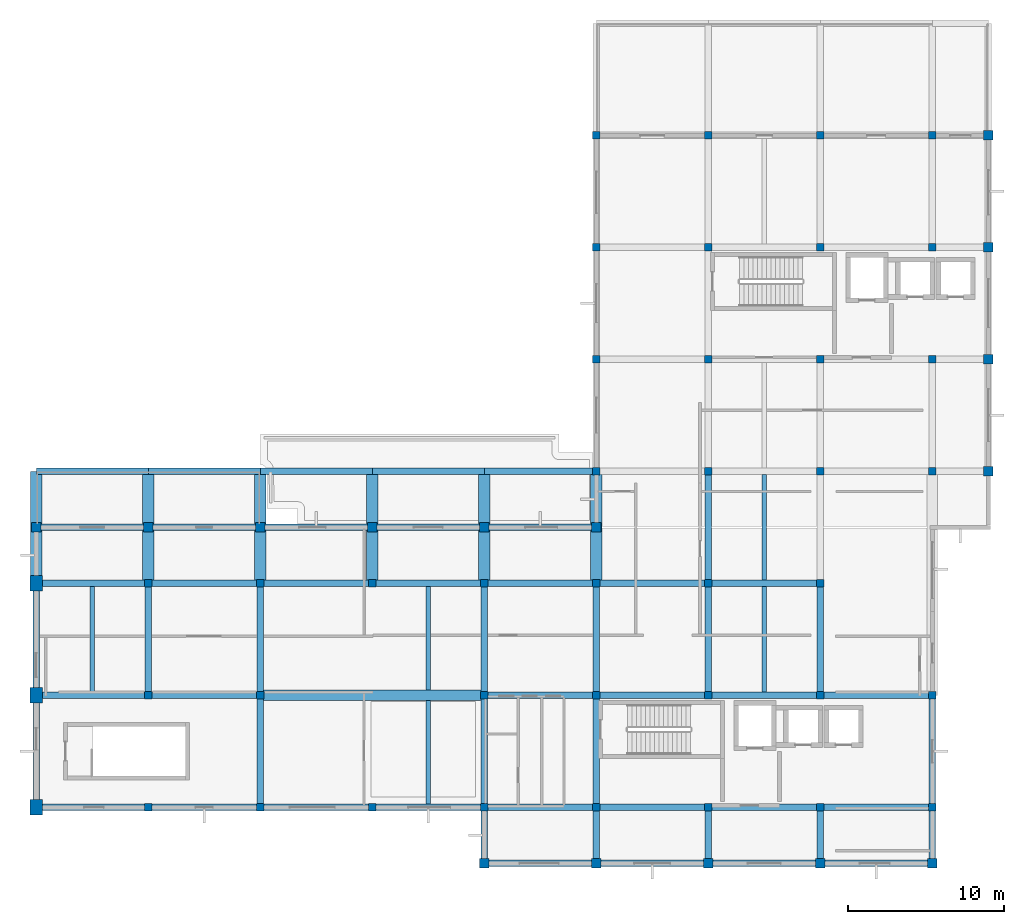
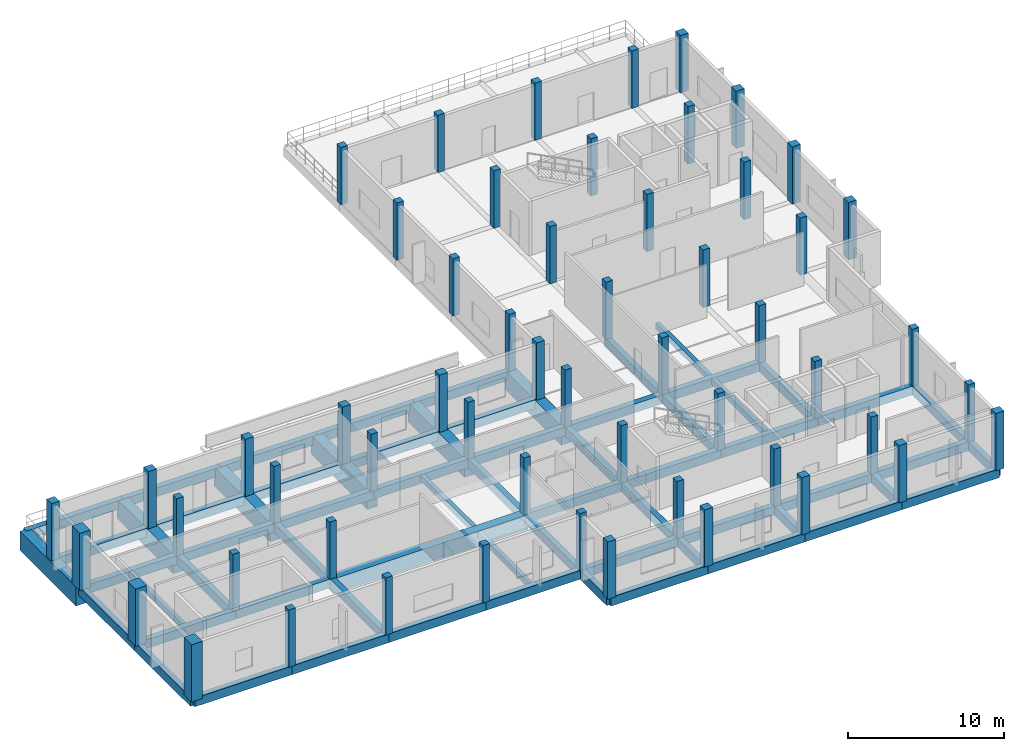
# One storey, part 1 of 9: 65 beams, 56 columns.
"""IFC4 building model written with IfcOpenShell, lengths in metres."""

from ifc_helpers import new_model, si_unit, direction, frame, origin, origin_2d, place, context, subcontext, project, spatial, rectangle, extrude, material, material_profile, profile_set, type_object, element, save


model = new_model("IFC4")

# Units and contexts
model_context = context("Model", 3, precision=1e-05, world=origin(), true_north=direction((0.0, 1.0)))
body_context = subcontext(model_context, "Body", "Model", "MODEL_VIEW")
ifc_project = project(units=[si_unit("LENGTHUNIT", "METRE"), si_unit("AREAUNIT", "SQUARE_METRE"), si_unit("VOLUMEUNIT", "CUBIC_METRE"), si_unit("PLANEANGLEUNIT", "RADIAN"), si_unit("MASSUNIT", "GRAM", prefix="KILO")], contexts=[model_context])

# Site, building, storey
site_placement = place(None, origin())
site = spatial("IfcSite", under=ifc_project, at=site_placement, CompositionType="ELEMENT")
building_placement = place(site_placement, origin())
building = spatial("IfcBuilding", under=site, at=building_placement, Name="Seraya Terrace Polytechnic", CompositionType="ELEMENT")
storey_placement = place(building_placement, frame((0.0, 0.0, 32.39990234375)))
storey = spatial("IfcBuildingStorey", under=building, at=storey_placement, Name="L07", CompositionType="ELEMENT", Elevation=32.39990234375)

# Columns
ifc_material = material(Name="Concrete C40/50", Category="concrete")
ifc_material_profile_1 = material_profile(ifc_material, rectangle(XDim=0.60009765625, YDim=0.60009765625, at=origin_2d()), Name="RC 600x600")
ifc_profile_set_1 = profile_set([ifc_material_profile_1], Name="Concrete C40/50")
column_type_1 = type_object("IfcColumnType", Name="C-09", PredefinedType="COLUMN", material=ifc_profile_set_1)
for number, where, z_axis, x_axis, name in (
    (1, (43.199951171875, 25.199951171875, 0.0), (0.0, 0.0, 1.0), (1.0, 0.0, 0.0), "Column C-09 L07 (43.2, 25.2)"),
    (2, (50.39990234375, 25.199951171875, 0.0), (0.0, 0.0, 1.0), (1.0, 0.0, 0.0), "Column C-09 L07 (50.4, 25.2)"),
    (3, (57.60009765625, 25.199951171875, 0.0), (0.0, 0.0, 1.0), (1.0, 0.0, 0.0), "Column C-09 L07 (57.6, 25.2)"),
    (4, (64.800048828125, 25.199951171875, 0.0), (0.0, 0.0, 1.0), (1.0, 0.0, 0.0), "Column C-09 L07 (64.8, 25.2)"),
    (5, (72.0, 3.60009765625, 0.0), (0.0, 0.0, 1.0), (1.0, 0.0, 0.0), "Column C-09 L07 (72.0, 3.6)"),
    (6, (72.0, 25.199951171875, 0.0), (0.0, 0.0, 1.0), (1.0, 0.0, 0.0), "Column C-09 L07 (72.0, 25.2)"),
    (7, (79.199951171875, 3.60009765625, 0.0), (0.0, 0.0, 1.0), (1.0, 0.0, 0.0), "Column C-09 L07 (79.2, 3.6)"),
    (8, (79.199951171875, 25.199951171875, 0.0), (0.0, 0.0, 1.0), (1.0, 0.0, 0.0), "Column C-09 L07 (79.2, 25.2)"),
    (9, (86.39990234375, 3.60009765625, 0.0), (0.0, 0.0, 1.0), (1.0, 0.0, 0.0), "Column C-09 L07 (86.4, 3.6)"),
    (10, (93.60009765625, 3.60009765625, 0.0), (0.0, 0.0, 1.0), (1.0, 0.0, 0.0), "Column C-09 L07 (93.6, 3.6)"),
    (11, (100.800048828125, 3.60009765625, 0.0), (0.0, 0.0, 1.0), (1.0, 0.0, 0.0), "Column C-09 L07 (100.8, 3.6)"),
    (12, (104.39990234375, 28.800048828125, 0.0), (0.0, 0.0, 1.0), (1.0, 0.0, 0.0), "Column C-09 L07 (104.4, 28.8)"),
    (13, (104.39990234375, 36.0, 0.0), (0.0, 0.0, 1.0), (1.0, 0.0, 0.0), "Column C-09 L07 (104.4, 36.0)"),
    (14, (104.39990234375, 43.199951171875, 0.0), (0.0, 0.0, 1.0), (1.0, 0.0, 0.0), "Column C-09 L07 (104.4, 43.2)"),
    (15, (104.39990234375, 50.39990234375, 0.0), (0.0, 0.0, 1.0), (1.0, 0.0, 0.0), "Column C-09 L07 (104.4, 50.4)"),
):
    element("IfcColumn", number, at=place(storey_placement, frame(where, z_axis=z_axis, x_axis=x_axis)), inside=storey, type_object=column_type_1, Name=name, PredefinedType="COLUMN", context=body_context, shape_type="SweptSolid", body=[
        extrude(rectangle(XDim=0.60009765625, YDim=0.60009765625, at=origin_2d()), origin(), (0.0, 0.0, 1.0), 4.5),
    ])
ifc_material_profile_2 = material_profile(ifc_material, rectangle(XDim=0.5, YDim=0.5, at=origin_2d()), Name="RC 500x500")
ifc_profile_set_2 = profile_set([ifc_material_profile_2], Name="Concrete C40/50")
column_type_2 = type_object("IfcColumnType", Name="C-11", PredefinedType="COLUMN", material=ifc_profile_set_2)
for number, where, z_axis, x_axis, name in (
    (16, (50.39990234375, 7.199951171875, 0.0), (0.0, 0.0, 1.0), (1.0, 0.0, 0.0), "Column C-11 L07 (50.4, 7.2)"),
    (17, (50.39990234375, 14.39990234375, 0.0), (0.0, 0.0, 1.0), (1.0, 0.0, 0.0), "Column C-11 L07 (50.4, 14.4)"),
    (18, (50.39990234375, 21.60009765625, 0.0), (0.0, 0.0, 1.0), (1.0, 0.0, 0.0), "Column C-11 L07 (50.4, 21.6)"),
    (19, (57.60009765625, 7.199951171875, 0.0), (0.0, 0.0, 1.0), (1.0, 0.0, 0.0), "Column C-11 L07 (57.6, 7.2)"),
    (20, (57.60009765625, 14.39990234375, 0.0), (0.0, 0.0, 1.0), (1.0, 0.0, 0.0), "Column C-11 L07 (57.6, 14.4)"),
    (21, (57.60009765625, 21.60009765625, 0.0), (0.0, 0.0, 1.0), (1.0, 0.0, 0.0), "Column C-11 L07 (57.6, 21.6)"),
    (22, (64.800048828125, 7.199951171875, 0.0), (0.0, 0.0, 1.0), (1.0, 0.0, 0.0), "Column C-11 L07 (64.8, 7.2)"),
    (23, (64.800048828125, 21.60009765625, 0.0), (0.0, 0.0, 1.0), (1.0, 0.0, 0.0), "Column C-11 L07 (64.8, 21.6)"),
    (24, (72.0, 7.199951171875, 0.0), (0.0, 0.0, 1.0), (1.0, 0.0, 0.0), "Column C-11 L07 (72.0, 7.2)"),
    (25, (72.0, 14.39990234375, 0.0), (0.0, 0.0, 1.0), (1.0, 0.0, 0.0), "Column C-11 L07 (72.0, 14.4)"),
    (26, (72.0, 21.60009765625, 0.0), (0.0, 0.0, 1.0), (1.0, 0.0, 0.0), "Column C-11 L07 (72.0, 21.6)"),
    (27, (79.199951171875, 7.199951171875, 0.0), (0.0, 0.0, 1.0), (1.0, 0.0, 0.0), "Column C-11 L07 (79.2, 7.2)"),
    (28, (79.199951171875, 14.39990234375, 0.0), (0.0, 0.0, 1.0), (1.0, 0.0, 0.0), "Column C-11 L07 (79.2, 14.4)"),
    (29, (79.199951171875, 21.60009765625, 0.0), (0.0, 0.0, 1.0), (1.0, 0.0, 0.0), "Column C-11 L07 (79.2, 21.6)"),
    (30, (79.199951171875, 28.800048828125, 0.0), (0.0, 0.0, 1.0), (1.0, 0.0, 0.0), "Column C-11 L07 (79.2, 28.8)"),
    (31, (79.199951171875, 36.0, 0.0), (0.0, 0.0, 1.0), (1.0, 0.0, 0.0), "Column C-11 L07 (79.2, 36.0)"),
    (32, (79.199951171875, 43.199951171875, 0.0), (0.0, 0.0, 1.0), (1.0, 0.0, 0.0), "Column C-11 L07 (79.2, 43.2)"),
    (33, (79.199951171875, 50.39990234375, 0.0), (0.0, 0.0, 1.0), (1.0, 0.0, 0.0), "Column C-11 L07 (79.2, 50.4)"),
    (34, (86.39990234375, 7.199951171875, 0.0), (0.0, 0.0, 1.0), (1.0, 0.0, 0.0), "Column C-11 L07 (86.4, 7.2)"),
    (35, (86.39990234375, 14.39990234375, 0.0), (0.0, 0.0, 1.0), (1.0, 0.0, 0.0), "Column C-11 L07 (86.4, 14.4)"),
    (36, (86.39990234375, 21.60009765625, 0.0), (0.0, 0.0, 1.0), (1.0, 0.0, 0.0), "Column C-11 L07 (86.4, 21.6)"),
    (37, (86.39990234375, 28.800048828125, 0.0), (0.0, 0.0, 1.0), (1.0, 0.0, 0.0), "Column C-11 L07 (86.4, 28.8)"),
    (38, (86.39990234375, 36.0, 0.0), (0.0, 0.0, 1.0), (1.0, 0.0, 0.0), "Column C-11 L07 (86.4, 36.0)"),
    (39, (86.39990234375, 43.199951171875, 0.0), (0.0, 0.0, 1.0), (1.0, 0.0, 0.0), "Column C-11 L07 (86.4, 43.2)"),
    (40, (86.39990234375, 50.39990234375, 0.0), (0.0, 0.0, 1.0), (1.0, 0.0, 0.0), "Column C-11 L07 (86.4, 50.4)"),
    (41, (93.60009765625, 7.199951171875, 0.0), (0.0, 0.0, 1.0), (1.0, 0.0, 0.0), "Column C-11 L07 (93.6, 7.2)"),
    (42, (93.60009765625, 14.39990234375, 0.0), (0.0, 0.0, 1.0), (1.0, 0.0, 0.0), "Column C-11 L07 (93.6, 14.4)"),
    (43, (93.60009765625, 21.60009765625, 0.0), (0.0, 0.0, 1.0), (1.0, 0.0, 0.0), "Column C-11 L07 (93.6, 21.6)"),
    (44, (93.60009765625, 28.800048828125, 0.0), (0.0, 0.0, 1.0), (1.0, 0.0, 0.0), "Column C-11 L07 (93.6, 28.8)"),
    (45, (93.60009765625, 36.0, 0.0), (0.0, 0.0, 1.0), (1.0, 0.0, 0.0), "Column C-11 L07 (93.6, 36.0)"),
    (46, (93.60009765625, 43.199951171875, 0.0), (0.0, 0.0, 1.0), (1.0, 0.0, 0.0), "Column C-11 L07 (93.6, 43.2)"),
    (47, (93.60009765625, 50.39990234375, 0.0), (0.0, 0.0, 1.0), (1.0, 0.0, 0.0), "Column C-11 L07 (93.6, 50.4)"),
    (48, (100.800048828125, 7.199951171875, 0.0), (0.0, 0.0, 1.0), (1.0, 0.0, 0.0), "Column C-11 L07 (100.8, 7.2)"),
    (49, (100.800048828125, 14.39990234375, 0.0), (0.0, 0.0, 1.0), (1.0, 0.0, 0.0), "Column C-11 L07 (100.8, 14.4)"),
    (50, (100.800048828125, 28.800048828125, 0.0), (0.0, 0.0, 1.0), (1.0, 0.0, 0.0), "Column C-11 L07 (100.8, 28.8)"),
    (51, (100.800048828125, 36.0, 0.0), (0.0, 0.0, 1.0), (1.0, 0.0, 0.0), "Column C-11 L07 (100.8, 36.0)"),
    (52, (100.800048828125, 43.199951171875, 0.0), (0.0, 0.0, 1.0), (1.0, 0.0, 0.0), "Column C-11 L07 (100.8, 43.2)"),
    (53, (100.800048828125, 50.39990234375, 0.0), (0.0, 0.0, 1.0), (1.0, 0.0, 0.0), "Column C-11 L07 (100.8, 50.4)"),
):
    element("IfcColumn", number, at=place(storey_placement, frame(where, z_axis=z_axis, x_axis=x_axis)), inside=storey, type_object=column_type_2, Name=name, PredefinedType="COLUMN", context=body_context, shape_type="SweptSolid", body=[
        extrude(rectangle(XDim=0.5, YDim=0.5, at=origin_2d()), origin(), (0.0, 0.0, 1.0), 4.5),
    ])
ifc_material_profile_3 = material_profile(ifc_material, rectangle(XDim=0.800048828125, YDim=1.0, at=origin_2d()), Name="RC 800x1000")
ifc_profile_set_3 = profile_set([ifc_material_profile_3], Name="Concrete C40/50")
column_type_3 = type_object("IfcColumnType", Name="C-14", PredefinedType="COLUMN", material=ifc_profile_set_3)
for number, where, z_axis, x_axis, name in (
    (54, (43.199951171875, 7.199951171875, 0.0), (0.0, 0.0, 1.0), (1.0, 0.0, 0.0), "Column C-14 L07 (43.2, 7.2)"),
    (55, (43.199951171875, 14.39990234375, 0.0), (0.0, 0.0, 1.0), (1.0, 0.0, 0.0), "Column C-14 L07 (43.2, 14.4)"),
    (56, (43.199951171875, 21.60009765625, 0.0), (0.0, 0.0, 1.0), (1.0, 0.0, 0.0), "Column C-14 L07 (43.2, 21.6)"),
):
    element("IfcColumn", number, at=place(storey_placement, frame(where, z_axis=z_axis, x_axis=x_axis)), inside=storey, type_object=column_type_3, Name=name, PredefinedType="COLUMN", context=body_context, shape_type="SweptSolid", body=[
        extrude(rectangle(XDim=0.800048828125, YDim=1.0, at=origin_2d()), origin(), (0.0, 0.0, 1.0), 4.5),
    ])

# Beams
ifc_material_profile_4 = material_profile(ifc_material, rectangle(XDim=0.64990234375, YDim=1.14990234375, at=origin_2d()), Name="RC 650x1150")
ifc_profile_set_4 = profile_set([ifc_material_profile_4], Name="Concrete C40/50")
beam_type_1 = type_object("IfcBeamType", Name="BG-02", PredefinedType="USERDEFINED", material=ifc_profile_set_4)
beam_1_placement = place(storey_placement, frame((57.60009765625, 14.39990234375, -0.574951171875), z_axis=(1.0, 0.0, 0.0), x_axis=(0.0, 1.0, 0.0)))
element("IfcBeam", 57, at=beam_1_placement, inside=storey, type_object=beam_type_1, Name="Beam BG-02 L07 X (57.6..72.0, 14.4)", ObjectType="GIRDER", PredefinedType="USERDEFINED", context=body_context, shape_type="SweptSolid", body=[
    extrude(rectangle(XDim=0.64990234375, YDim=1.14990234375, at=origin_2d()), origin(), (0.0, 0.0, 1.0), 14.39990234375),
])
ifc_material_profile_5 = material_profile(ifc_material, rectangle(XDim=0.419921875, YDim=0.679931640625, at=origin_2d()), Name="RC 420x680")
ifc_profile_set_5 = profile_set([ifc_material_profile_5], Name="Concrete C40/50")
beam_type_2 = type_object("IfcBeamType", Name="BM-09", PredefinedType="BEAM", material=ifc_profile_set_5)
for number, where, z_axis, x_axis, name in (
    (58, (72.0, 3.60009765625, -0.33984375), (1.0, 0.0, 0.0), (0.0, 1.0, 0.0), "Beam BM-09 L07 X (72.0..79.2, 3.6)"),
    (59, (79.199951171875, 3.60009765625, -0.33984375), (1.0, 0.0, 0.0), (0.0, 1.0, 0.0), "Beam BM-09 L07 X (79.2..86.4, 3.6)"),
):
    element("IfcBeam", number, at=place(storey_placement, frame(where, z_axis=z_axis, x_axis=x_axis)), inside=storey, type_object=beam_type_2, Name=name, PredefinedType="BEAM", context=body_context, shape_type="SweptSolid", body=[
        extrude(rectangle(XDim=0.419921875, YDim=0.679931640625, at=origin_2d()), origin(), (0.0, 0.0, 1.0), 7.199951171875),
    ])
beam_2_placement = place(storey_placement, frame((86.39990234375, 3.60009765625, -0.33984375), z_axis=(1.0, 0.0, 0.0), x_axis=(0.0, 1.0, 0.0)))
element("IfcBeam", 60, at=beam_2_placement, inside=storey, type_object=beam_type_2, Name="Beam BM-09 L07 X (86.4..93.6, 3.6)", PredefinedType="BEAM", context=body_context, shape_type="SweptSolid", body=[
    extrude(rectangle(XDim=0.419921875, YDim=0.679931640625, at=origin_2d()), origin(), (0.0, 0.0, 1.0), 7.2001953125),
])
for number, where, z_axis, x_axis, name in (
    (61, (93.60009765625, 3.60009765625, -0.33984375), (1.0, 0.0, 0.0), (0.0, 1.0, 0.0), "Beam BM-09 L07 X (93.6..100.8, 3.6)"),
    (62, (43.199951171875, 7.199951171875, -0.33984375), (1.0, 0.0, 0.0), (0.0, 1.0, 0.0), "Beam BM-09 L07 X (43.2..50.4, 7.2)"),
):
    element("IfcBeam", number, at=place(storey_placement, frame(where, z_axis=z_axis, x_axis=x_axis)), inside=storey, type_object=beam_type_2, Name=name, PredefinedType="BEAM", context=body_context, shape_type="SweptSolid", body=[
        extrude(rectangle(XDim=0.419921875, YDim=0.679931640625, at=origin_2d()), origin(), (0.0, 0.0, 1.0), 7.199951171875),
    ])
beam_3_placement = place(storey_placement, frame((50.39990234375, 7.199951171875, -0.33984375), z_axis=(1.0, 0.0, 0.0), x_axis=(0.0, 1.0, 0.0)))
element("IfcBeam", 63, at=beam_3_placement, inside=storey, type_object=beam_type_2, Name="Beam BM-09 L07 X (50.4..57.6, 7.2)", PredefinedType="BEAM", context=body_context, shape_type="SweptSolid", body=[
    extrude(rectangle(XDim=0.419921875, YDim=0.679931640625, at=origin_2d()), origin(), (0.0, 0.0, 1.0), 7.2001953125),
])
for number, where, z_axis, x_axis, name in (
    (64, (57.60009765625, 7.199951171875, -0.33984375), (1.0, 0.0, 0.0), (0.0, 1.0, 0.0), "Beam BM-09 L07 X (57.6..64.8, 7.2)"),
    (65, (64.800048828125, 7.199951171875, -0.33984375), (1.0, 0.0, 0.0), (0.0, 1.0, 0.0), "Beam BM-09 L07 X (64.8..72.0, 7.2)"),
    (66, (72.0, 7.199951171875, -0.33984375), (1.0, 0.0, 0.0), (0.0, 1.0, 0.0), "Beam BM-09 L07 X (72.0..79.2, 7.2)"),
    (67, (79.199951171875, 7.199951171875, -0.33984375), (1.0, 0.0, 0.0), (0.0, 1.0, 0.0), "Beam BM-09 L07 X (79.2..86.4, 7.2)"),
):
    element("IfcBeam", number, at=place(storey_placement, frame(where, z_axis=z_axis, x_axis=x_axis)), inside=storey, type_object=beam_type_2, Name=name, PredefinedType="BEAM", context=body_context, shape_type="SweptSolid", body=[
        extrude(rectangle(XDim=0.419921875, YDim=0.679931640625, at=origin_2d()), origin(), (0.0, 0.0, 1.0), 7.199951171875),
    ])
beam_4_placement = place(storey_placement, frame((86.39990234375, 7.199951171875, -0.33984375), z_axis=(1.0, 0.0, 0.0), x_axis=(0.0, 1.0, 0.0)))
element("IfcBeam", 68, at=beam_4_placement, inside=storey, type_object=beam_type_2, Name="Beam BM-09 L07 X (86.4..93.6, 7.2)", PredefinedType="BEAM", context=body_context, shape_type="SweptSolid", body=[
    extrude(rectangle(XDim=0.419921875, YDim=0.679931640625, at=origin_2d()), origin(), (0.0, 0.0, 1.0), 7.2001953125),
])
for number, where, z_axis, x_axis, name in (
    (69, (93.60009765625, 7.199951171875, -0.33984375), (1.0, 0.0, 0.0), (0.0, 1.0, 0.0), "Beam BM-09 L07 X (93.6..100.8, 7.2)"),
    (70, (43.199951171875, 14.39990234375, -0.33984375), (1.0, 0.0, 0.0), (0.0, 1.0, 0.0), "Beam BM-09 L07 X (43.2..50.4, 14.4)"),
):
    element("IfcBeam", number, at=place(storey_placement, frame(where, z_axis=z_axis, x_axis=x_axis)), inside=storey, type_object=beam_type_2, Name=name, PredefinedType="BEAM", context=body_context, shape_type="SweptSolid", body=[
        extrude(rectangle(XDim=0.419921875, YDim=0.679931640625, at=origin_2d()), origin(), (0.0, 0.0, 1.0), 7.199951171875),
    ])
beam_5_placement = place(storey_placement, frame((50.39990234375, 14.39990234375, -0.33984375), z_axis=(1.0, 0.0, 0.0), x_axis=(0.0, 1.0, 0.0)))
element("IfcBeam", 71, at=beam_5_placement, inside=storey, type_object=beam_type_2, Name="Beam BM-09 L07 X (50.4..57.6, 14.4)", PredefinedType="BEAM", context=body_context, shape_type="SweptSolid", body=[
    extrude(rectangle(XDim=0.419921875, YDim=0.679931640625, at=origin_2d()), origin(), (0.0, 0.0, 1.0), 7.2001953125),
])
for number, where, z_axis, x_axis, name in (
    (72, (72.0, 14.39990234375, -0.33984375), (1.0, 0.0, 0.0), (0.0, 1.0, 0.0), "Beam BM-09 L07 X (72.0..79.2, 14.4)"),
    (73, (79.199951171875, 14.39990234375, -0.33984375), (1.0, 0.0, 0.0), (0.0, 1.0, 0.0), "Beam BM-09 L07 X (79.2..86.4, 14.4)"),
):
    element("IfcBeam", number, at=place(storey_placement, frame(where, z_axis=z_axis, x_axis=x_axis)), inside=storey, type_object=beam_type_2, Name=name, PredefinedType="BEAM", context=body_context, shape_type="SweptSolid", body=[
        extrude(rectangle(XDim=0.419921875, YDim=0.679931640625, at=origin_2d()), origin(), (0.0, 0.0, 1.0), 7.199951171875),
    ])
beam_6_placement = place(storey_placement, frame((86.39990234375, 14.39990234375, -0.33984375), z_axis=(1.0, 0.0, 0.0), x_axis=(0.0, 1.0, 0.0)))
element("IfcBeam", 74, at=beam_6_placement, inside=storey, type_object=beam_type_2, Name="Beam BM-09 L07 X (86.4..93.6, 14.4)", PredefinedType="BEAM", context=body_context, shape_type="SweptSolid", body=[
    extrude(rectangle(XDim=0.419921875, YDim=0.679931640625, at=origin_2d()), origin(), (0.0, 0.0, 1.0), 7.2001953125),
])
for number, where, z_axis, x_axis, name in (
    (75, (93.60009765625, 14.39990234375, -0.33984375), (1.0, 0.0, 0.0), (0.0, 1.0, 0.0), "Beam BM-09 L07 X (93.6..100.8, 14.4)"),
    (76, (43.199951171875, 21.60009765625, -0.33984375), (1.0, 0.0, 0.0), (0.0, 1.0, 0.0), "Beam BM-09 L07 X (43.2..50.4, 21.6)"),
):
    element("IfcBeam", number, at=place(storey_placement, frame(where, z_axis=z_axis, x_axis=x_axis)), inside=storey, type_object=beam_type_2, Name=name, PredefinedType="BEAM", context=body_context, shape_type="SweptSolid", body=[
        extrude(rectangle(XDim=0.419921875, YDim=0.679931640625, at=origin_2d()), origin(), (0.0, 0.0, 1.0), 7.199951171875),
    ])
beam_7_placement = place(storey_placement, frame((50.39990234375, 21.60009765625, -0.33984375), z_axis=(1.0, 0.0, 0.0), x_axis=(0.0, 1.0, 0.0)))
element("IfcBeam", 77, at=beam_7_placement, inside=storey, type_object=beam_type_2, Name="Beam BM-09 L07 X (50.4..57.6, 21.6)", PredefinedType="BEAM", context=body_context, shape_type="SweptSolid", body=[
    extrude(rectangle(XDim=0.419921875, YDim=0.679931640625, at=origin_2d()), origin(), (0.0, 0.0, 1.0), 7.2001953125),
])
for number, where, z_axis, x_axis, name in (
    (78, (57.60009765625, 21.60009765625, -0.33984375), (1.0, 0.0, 0.0), (0.0, 1.0, 0.0), "Beam BM-09 L07 X (57.6..64.8, 21.6)"),
    (79, (64.800048828125, 21.60009765625, -0.33984375), (1.0, 0.0, 0.0), (0.0, 1.0, 0.0), "Beam BM-09 L07 X (64.8..72.0, 21.6)"),
    (80, (72.0, 21.60009765625, -0.33984375), (1.0, 0.0, 0.0), (0.0, 1.0, 0.0), "Beam BM-09 L07 X (72.0..79.2, 21.6)"),
    (81, (79.199951171875, 21.60009765625, -0.33984375), (1.0, 0.0, 0.0), (0.0, 1.0, 0.0), "Beam BM-09 L07 X (79.2..86.4, 21.6)"),
):
    element("IfcBeam", number, at=place(storey_placement, frame(where, z_axis=z_axis, x_axis=x_axis)), inside=storey, type_object=beam_type_2, Name=name, PredefinedType="BEAM", context=body_context, shape_type="SweptSolid", body=[
        extrude(rectangle(XDim=0.419921875, YDim=0.679931640625, at=origin_2d()), origin(), (0.0, 0.0, 1.0), 7.199951171875),
    ])
beam_8_placement = place(storey_placement, frame((86.39990234375, 21.60009765625, -0.33984375), z_axis=(1.0, 0.0, 0.0), x_axis=(0.0, 1.0, 0.0)))
element("IfcBeam", 82, at=beam_8_placement, inside=storey, type_object=beam_type_2, Name="Beam BM-09 L07 X (86.4..93.6, 21.6)", PredefinedType="BEAM", context=body_context, shape_type="SweptSolid", body=[
    extrude(rectangle(XDim=0.419921875, YDim=0.679931640625, at=origin_2d()), origin(), (0.0, 0.0, 1.0), 7.2001953125),
])
beam_9_placement = place(storey_placement, frame((43.199951171875, 25.199951171875, -0.33984375), z_axis=(1.0, 0.0, 0.0), x_axis=(0.0, 1.0, 0.0)))
element("IfcBeam", 83, at=beam_9_placement, inside=storey, type_object=beam_type_2, Name="Beam BM-09 L07 X (43.2..50.4, 25.2)", PredefinedType="BEAM", context=body_context, shape_type="SweptSolid", body=[
    extrude(rectangle(XDim=0.419921875, YDim=0.679931640625, at=origin_2d()), origin(), (0.0, 0.0, 1.0), 7.199951171875),
])
beam_10_placement = place(storey_placement, frame((50.39990234375, 25.199951171875, -0.33984375), z_axis=(1.0, 0.0, 0.0), x_axis=(0.0, 1.0, 0.0)))
element("IfcBeam", 84, at=beam_10_placement, inside=storey, type_object=beam_type_2, Name="Beam BM-09 L07 X (50.4..57.6, 25.2)", PredefinedType="BEAM", context=body_context, shape_type="SweptSolid", body=[
    extrude(rectangle(XDim=0.419921875, YDim=0.679931640625, at=origin_2d()), origin(), (0.0, 0.0, 1.0), 7.2001953125),
])
for number, where, z_axis, x_axis, name in (
    (85, (57.60009765625, 25.199951171875, -0.33984375), (1.0, 0.0, 0.0), (0.0, 1.0, 0.0), "Beam BM-09 L07 X (57.6..64.8, 25.2)"),
    (86, (64.800048828125, 25.199951171875, -0.33984375), (1.0, 0.0, 0.0), (0.0, 1.0, 0.0), "Beam BM-09 L07 X (64.8..72.0, 25.2)"),
    (87, (72.0, 25.199951171875, -0.33984375), (1.0, 0.0, 0.0), (0.0, 1.0, 0.0), "Beam BM-09 L07 X (72.0..79.2, 25.2)"),
    (88, (43.199951171875, 28.800048828125, -0.33984375), (1.0, 0.0, 0.0), (0.0, 1.0, 0.0), "Beam BM-09 L07 X (43.2..50.4, 28.8)"),
):
    element("IfcBeam", number, at=place(storey_placement, frame(where, z_axis=z_axis, x_axis=x_axis)), inside=storey, type_object=beam_type_2, Name=name, PredefinedType="BEAM", context=body_context, shape_type="SweptSolid", body=[
        extrude(rectangle(XDim=0.419921875, YDim=0.679931640625, at=origin_2d()), origin(), (0.0, 0.0, 1.0), 7.199951171875),
    ])
beam_11_placement = place(storey_placement, frame((50.39990234375, 28.800048828125, -0.33984375), z_axis=(1.0, 0.0, 0.0), x_axis=(0.0, 1.0, 0.0)))
element("IfcBeam", 89, at=beam_11_placement, inside=storey, type_object=beam_type_2, Name="Beam BM-09 L07 X (50.4..57.6, 28.8)", PredefinedType="BEAM", context=body_context, shape_type="SweptSolid", body=[
    extrude(rectangle(XDim=0.419921875, YDim=0.679931640625, at=origin_2d()), origin(), (0.0, 0.0, 1.0), 7.2001953125),
])
for number, where, z_axis, x_axis, name in (
    (90, (57.60009765625, 28.800048828125, -0.33984375), (1.0, 0.0, 0.0), (0.0, 1.0, 0.0), "Beam BM-09 L07 X (57.6..64.8, 28.8)"),
    (91, (64.800048828125, 28.800048828125, -0.33984375), (1.0, 0.0, 0.0), (0.0, 1.0, 0.0), "Beam BM-09 L07 X (64.8..72.0, 28.8)"),
    (92, (72.0, 28.800048828125, -0.33984375), (1.0, 0.0, 0.0), (0.0, 1.0, 0.0), "Beam BM-09 L07 X (72.0..79.2, 28.8)"),
):
    element("IfcBeam", number, at=place(storey_placement, frame(where, z_axis=z_axis, x_axis=x_axis)), inside=storey, type_object=beam_type_2, Name=name, PredefinedType="BEAM", context=body_context, shape_type="SweptSolid", body=[
        extrude(rectangle(XDim=0.419921875, YDim=0.679931640625, at=origin_2d()), origin(), (0.0, 0.0, 1.0), 7.199951171875),
    ])
ifc_material_profile_6 = material_profile(ifc_material, rectangle(XDim=0.39990234375, YDim=0.699951171875, at=origin_2d()), Name="RC 400x700")
ifc_profile_set_6 = profile_set([ifc_material_profile_6], Name="Concrete C40/50")
beam_type_3 = type_object("IfcBeamType", Name="BM-10", PredefinedType="BEAM", material=ifc_profile_set_6)
beam_12_placement = place(storey_placement, frame((43.199951171875, 7.199951171875, -0.349853515625), z_axis=(0.0, 1.0, 0.0), x_axis=(-1.0, 0.0, 0.0)))
element("IfcBeam", 93, at=beam_12_placement, inside=storey, type_object=beam_type_3, Name="Beam BM-10 L07 Y (43.2, 7.2..14.4)", PredefinedType="BEAM", context=body_context, shape_type="SweptSolid", body=[
    extrude(rectangle(XDim=0.39990234375, YDim=0.699951171875, at=origin_2d()), origin(), (0.0, 0.0, 1.0), 7.199951171875),
])
for number, where, z_axis, x_axis, name in (
    (94, (43.199951171875, 14.39990234375, -0.349853515625), (0.0, 1.0, 0.0), (-1.0, 0.0, 0.0), "Beam BM-10 L07 Y (43.2, 14.4..21.6)"),
    (95, (50.39990234375, 14.39990234375, -0.349853515625), (0.0, 1.0, 0.0), (-1.0, 0.0, 0.0), "Beam BM-10 L07 Y (50.4, 14.4..21.6)"),
):
    element("IfcBeam", number, at=place(storey_placement, frame(where, z_axis=z_axis, x_axis=x_axis)), inside=storey, type_object=beam_type_3, Name=name, PredefinedType="BEAM", context=body_context, shape_type="SweptSolid", body=[
        extrude(rectangle(XDim=0.39990234375, YDim=0.699951171875, at=origin_2d()), origin(), (0.0, 0.0, 1.0), 7.2001953125),
    ])
beam_13_placement = place(storey_placement, frame((57.60009765625, 7.199951171875, -0.349853515625), z_axis=(0.0, 1.0, 0.0), x_axis=(-1.0, 0.0, 0.0)))
element("IfcBeam", 96, at=beam_13_placement, inside=storey, type_object=beam_type_3, Name="Beam BM-10 L07 Y (57.6, 7.2..14.4)", PredefinedType="BEAM", context=body_context, shape_type="SweptSolid", body=[
    extrude(rectangle(XDim=0.39990234375, YDim=0.699951171875, at=origin_2d()), origin(), (0.0, 0.0, 1.0), 7.199951171875),
])
beam_14_placement = place(storey_placement, frame((57.60009765625, 14.39990234375, -0.349853515625), z_axis=(0.0, 1.0, 0.0), x_axis=(-1.0, 0.0, 0.0)))
element("IfcBeam", 97, at=beam_14_placement, inside=storey, type_object=beam_type_3, Name="Beam BM-10 L07 Y (57.6, 14.4..21.6)", PredefinedType="BEAM", context=body_context, shape_type="SweptSolid", body=[
    extrude(rectangle(XDim=0.39990234375, YDim=0.699951171875, at=origin_2d()), origin(), (0.0, 0.0, 1.0), 7.2001953125),
])
beam_15_placement = place(storey_placement, frame((72.0, 3.60009765625, -0.349853515625), z_axis=(0.0, 1.0, 0.0), x_axis=(-1.0, 0.0, 0.0)))
element("IfcBeam", 98, at=beam_15_placement, inside=storey, type_object=beam_type_3, Name="Beam BM-10 L07 Y (72.0, 3.6..7.2)", PredefinedType="BEAM", context=body_context, shape_type="SweptSolid", body=[
    extrude(rectangle(XDim=0.39990234375, YDim=0.699951171875, at=origin_2d()), origin(), (0.0, 0.0, 1.0), 3.599853515625),
])
beam_16_placement = place(storey_placement, frame((72.0, 7.199951171875, -0.349853515625), z_axis=(0.0, 1.0, 0.0), x_axis=(-1.0, 0.0, 0.0)))
element("IfcBeam", 99, at=beam_16_placement, inside=storey, type_object=beam_type_3, Name="Beam BM-10 L07 Y (72.0, 7.2..14.4)", PredefinedType="BEAM", context=body_context, shape_type="SweptSolid", body=[
    extrude(rectangle(XDim=0.39990234375, YDim=0.699951171875, at=origin_2d()), origin(), (0.0, 0.0, 1.0), 7.199951171875),
])
beam_17_placement = place(storey_placement, frame((72.0, 14.39990234375, -0.349853515625), z_axis=(0.0, 1.0, 0.0), x_axis=(-1.0, 0.0, 0.0)))
element("IfcBeam", 100, at=beam_17_placement, inside=storey, type_object=beam_type_3, Name="Beam BM-10 L07 Y (72.0, 14.4..21.6)", PredefinedType="BEAM", context=body_context, shape_type="SweptSolid", body=[
    extrude(rectangle(XDim=0.39990234375, YDim=0.699951171875, at=origin_2d()), origin(), (0.0, 0.0, 1.0), 7.2001953125),
])
beam_18_placement = place(storey_placement, frame((79.199951171875, 3.60009765625, -0.349853515625), z_axis=(0.0, 1.0, 0.0), x_axis=(-1.0, 0.0, 0.0)))
element("IfcBeam", 101, at=beam_18_placement, inside=storey, type_object=beam_type_3, Name="Beam BM-10 L07 Y (79.2, 3.6..7.2)", PredefinedType="BEAM", context=body_context, shape_type="SweptSolid", body=[
    extrude(rectangle(XDim=0.39990234375, YDim=0.699951171875, at=origin_2d()), origin(), (0.0, 0.0, 1.0), 3.599853515625),
])
beam_19_placement = place(storey_placement, frame((79.199951171875, 7.199951171875, -0.349853515625), z_axis=(0.0, 1.0, 0.0), x_axis=(-1.0, 0.0, 0.0)))
element("IfcBeam", 102, at=beam_19_placement, inside=storey, type_object=beam_type_3, Name="Beam BM-10 L07 Y (79.2, 7.2..14.4)", PredefinedType="BEAM", context=body_context, shape_type="SweptSolid", body=[
    extrude(rectangle(XDim=0.39990234375, YDim=0.699951171875, at=origin_2d()), origin(), (0.0, 0.0, 1.0), 7.199951171875),
])
beam_20_placement = place(storey_placement, frame((79.199951171875, 14.39990234375, -0.349853515625), z_axis=(0.0, 1.0, 0.0), x_axis=(-1.0, 0.0, 0.0)))
element("IfcBeam", 103, at=beam_20_placement, inside=storey, type_object=beam_type_3, Name="Beam BM-10 L07 Y (79.2, 14.4..21.6)", PredefinedType="BEAM", context=body_context, shape_type="SweptSolid", body=[
    extrude(rectangle(XDim=0.39990234375, YDim=0.699951171875, at=origin_2d()), origin(), (0.0, 0.0, 1.0), 7.2001953125),
])
beam_21_placement = place(storey_placement, frame((86.39990234375, 3.60009765625, -0.349853515625), z_axis=(0.0, 1.0, 0.0), x_axis=(-1.0, 0.0, 0.0)))
element("IfcBeam", 104, at=beam_21_placement, inside=storey, type_object=beam_type_3, Name="Beam BM-10 L07 Y (86.4, 3.6..7.2)", PredefinedType="BEAM", context=body_context, shape_type="SweptSolid", body=[
    extrude(rectangle(XDim=0.39990234375, YDim=0.699951171875, at=origin_2d()), origin(), (0.0, 0.0, 1.0), 3.599853515625),
])
beam_22_placement = place(storey_placement, frame((86.39990234375, 14.39990234375, -0.349853515625), z_axis=(0.0, 1.0, 0.0), x_axis=(-1.0, 0.0, 0.0)))
element("IfcBeam", 105, at=beam_22_placement, inside=storey, type_object=beam_type_3, Name="Beam BM-10 L07 Y (86.4, 14.4..21.6)", PredefinedType="BEAM", context=body_context, shape_type="SweptSolid", body=[
    extrude(rectangle(XDim=0.39990234375, YDim=0.699951171875, at=origin_2d()), origin(), (0.0, 0.0, 1.0), 7.2001953125),
])
beam_23_placement = place(storey_placement, frame((86.39990234375, 21.60009765625, -0.349853515625), z_axis=(0.0, 1.0, 0.0), x_axis=(-1.0, 0.0, 0.0)))
element("IfcBeam", 106, at=beam_23_placement, inside=storey, type_object=beam_type_3, Name="Beam BM-10 L07 Y (86.4, 21.6..28.8)", PredefinedType="BEAM", context=body_context, shape_type="SweptSolid", body=[
    extrude(rectangle(XDim=0.39990234375, YDim=0.699951171875, at=origin_2d()), origin(), (0.0, 0.0, 1.0), 7.199951171875),
])
beam_24_placement = place(storey_placement, frame((93.60009765625, 3.60009765625, -0.349853515625), z_axis=(0.0, 1.0, 0.0), x_axis=(-1.0, 0.0, 0.0)))
element("IfcBeam", 107, at=beam_24_placement, inside=storey, type_object=beam_type_3, Name="Beam BM-10 L07 Y (93.6, 3.6..7.2)", PredefinedType="BEAM", context=body_context, shape_type="SweptSolid", body=[
    extrude(rectangle(XDim=0.39990234375, YDim=0.699951171875, at=origin_2d()), origin(), (0.0, 0.0, 1.0), 3.599853515625),
])
beam_25_placement = place(storey_placement, frame((93.60009765625, 14.39990234375, -0.349853515625), z_axis=(0.0, 1.0, 0.0), x_axis=(-1.0, 0.0, 0.0)))
element("IfcBeam", 108, at=beam_25_placement, inside=storey, type_object=beam_type_3, Name="Beam BM-10 L07 Y (93.6, 14.4..21.6)", PredefinedType="BEAM", context=body_context, shape_type="SweptSolid", body=[
    extrude(rectangle(XDim=0.39990234375, YDim=0.699951171875, at=origin_2d()), origin(), (0.0, 0.0, 1.0), 7.2001953125),
])
beam_26_placement = place(storey_placement, frame((100.800048828125, 3.60009765625, -0.349853515625), z_axis=(0.0, 1.0, 0.0), x_axis=(-1.0, 0.0, 0.0)))
element("IfcBeam", 109, at=beam_26_placement, inside=storey, type_object=beam_type_3, Name="Beam BM-10 L07 Y (100.8, 3.6..7.2)", PredefinedType="BEAM", context=body_context, shape_type="SweptSolid", body=[
    extrude(rectangle(XDim=0.39990234375, YDim=0.699951171875, at=origin_2d()), origin(), (0.0, 0.0, 1.0), 3.599853515625),
])
beam_27_placement = place(storey_placement, frame((100.800048828125, 7.199951171875, -0.349853515625), z_axis=(0.0, 1.0, 0.0), x_axis=(-1.0, 0.0, 0.0)))
element("IfcBeam", 110, at=beam_27_placement, inside=storey, type_object=beam_type_3, Name="Beam BM-10 L07 Y (100.8, 7.2..14.4)", PredefinedType="BEAM", context=body_context, shape_type="SweptSolid", body=[
    extrude(rectangle(XDim=0.39990234375, YDim=0.699951171875, at=origin_2d()), origin(), (0.0, 0.0, 1.0), 7.199951171875),
])
ifc_material_profile_7 = material_profile(ifc_material, rectangle(XDim=0.300048828125, YDim=0.449951171875, at=origin_2d()), Name="RC 300x450")
ifc_profile_set_7 = profile_set([ifc_material_profile_7], Name="Concrete C40/50")
beam_type_4 = type_object("IfcBeamType", Name="JS-06", PredefinedType="JOIST", material=ifc_profile_set_7)
beam_28_placement = place(storey_placement, frame((46.800048828125, 14.610107421875, -0.224853515625), z_axis=(0.0, 1.0, 0.0), x_axis=(-1.0, 0.0, 0.0)))
element("IfcBeam", 111, at=beam_28_placement, inside=storey, type_object=beam_type_4, Name="Secondary joist JS-06 L07", PredefinedType="JOIST", context=body_context, shape_type="SweptSolid", body=[
    extrude(rectangle(XDim=0.300048828125, YDim=0.449951171875, at=origin_2d()), origin(), (0.0, 0.0, 1.0), 6.77978515625),
])
beam_29_placement = place(storey_placement, frame((68.39990234375, 7.409912109375, -0.224853515625), z_axis=(0.0, 1.0, 0.0), x_axis=(-1.0, 0.0, 0.0)))
element("IfcBeam", 112, at=beam_29_placement, inside=storey, type_object=beam_type_4, Name="Secondary joist JS-06 L07", PredefinedType="JOIST", context=body_context, shape_type="SweptSolid", body=[
    extrude(rectangle(XDim=0.300048828125, YDim=0.449951171875, at=origin_2d()), origin(), (0.0, 0.0, 1.0), 6.6650390625),
])
beam_30_placement = place(storey_placement, frame((68.39990234375, 14.72509765625, -0.224853515625), z_axis=(0.0, 1.0, 0.0), x_axis=(-1.0, 0.0, 0.0)))
element("IfcBeam", 113, at=beam_30_placement, inside=storey, type_object=beam_type_4, Name="Secondary joist JS-06 L07", PredefinedType="JOIST", context=body_context, shape_type="SweptSolid", body=[
    extrude(rectangle(XDim=0.300048828125, YDim=0.449951171875, at=origin_2d()), origin(), (0.0, 0.0, 1.0), 6.664794921875),
])
beam_31_placement = place(storey_placement, frame((90.0, 14.610107421875, -0.224853515625), z_axis=(0.0, 1.0, 0.0), x_axis=(-1.0, 0.0, 0.0)))
element("IfcBeam", 114, at=beam_31_placement, inside=storey, type_object=beam_type_4, Name="Secondary joist JS-06 L07", PredefinedType="JOIST", context=body_context, shape_type="SweptSolid", body=[
    extrude(rectangle(XDim=0.300048828125, YDim=0.449951171875, at=origin_2d()), origin(), (0.0, 0.0, 1.0), 6.77978515625),
])
beam_32_placement = place(storey_placement, frame((90.0, 21.81005859375, -0.224853515625), z_axis=(0.0, 1.0, 0.0), x_axis=(-1.0, 0.0, 0.0)))
element("IfcBeam", 115, at=beam_32_placement, inside=storey, type_object=beam_type_4, Name="Secondary joist JS-06 L07", PredefinedType="JOIST", context=body_context, shape_type="SweptSolid", body=[
    extrude(rectangle(XDim=0.300048828125, YDim=0.449951171875, at=origin_2d()), origin(), (0.0, 0.0, 1.0), 6.780029296875),
])
ifc_material_profile_8 = material_profile(ifc_material, rectangle(XDim=0.75, YDim=1.5, at=origin_2d()), Name="RC 750x1500")
ifc_profile_set_8 = profile_set([ifc_material_profile_8], Name="Concrete C40/50")
beam_type_5 = type_object("IfcBeamType", Name="TG-04", PredefinedType="USERDEFINED", material=ifc_profile_set_8)
for number, where, z_axis, x_axis, name in (
    (116, (43.199951171875, 21.60009765625, -0.75), (0.0, 1.0, 0.0), (-1.0, 0.0, 0.0), "Transfer girder TG-04 L07 #48"),
    (117, (50.39990234375, 21.60009765625, -0.75), (0.0, 1.0, 0.0), (-1.0, 0.0, 0.0), "Transfer girder TG-04 L07 #49"),
    (118, (57.60009765625, 21.60009765625, -0.75), (0.0, 1.0, 0.0), (-1.0, 0.0, 0.0), "Transfer girder TG-04 L07 #50"),
    (119, (64.800048828125, 21.60009765625, -0.75), (0.0, 1.0, 0.0), (-1.0, 0.0, 0.0), "Transfer girder TG-04 L07 #51"),
    (120, (72.0, 21.60009765625, -0.75), (0.0, 1.0, 0.0), (-1.0, 0.0, 0.0), "Transfer girder TG-04 L07 #52"),
    (121, (79.199951171875, 21.60009765625, -0.75), (0.0, 1.0, 0.0), (-1.0, 0.0, 0.0), "Transfer girder TG-04 L07 #53"),
):
    element("IfcBeam", number, at=place(storey_placement, frame(where, z_axis=z_axis, x_axis=x_axis)), inside=storey, type_object=beam_type_5, Name=name, ObjectType="GIRDER", PredefinedType="USERDEFINED", context=body_context, shape_type="SweptSolid", body=[
        extrude(rectangle(XDim=0.75, YDim=1.5, at=origin_2d()), origin(), (0.0, 0.0, 1.0), 7.199951171875),
    ])

save(model, "model.ifc")
